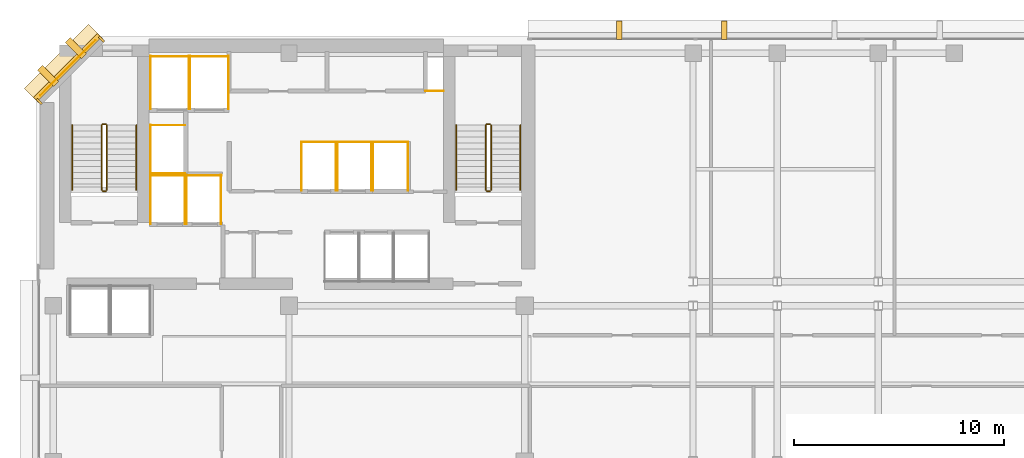
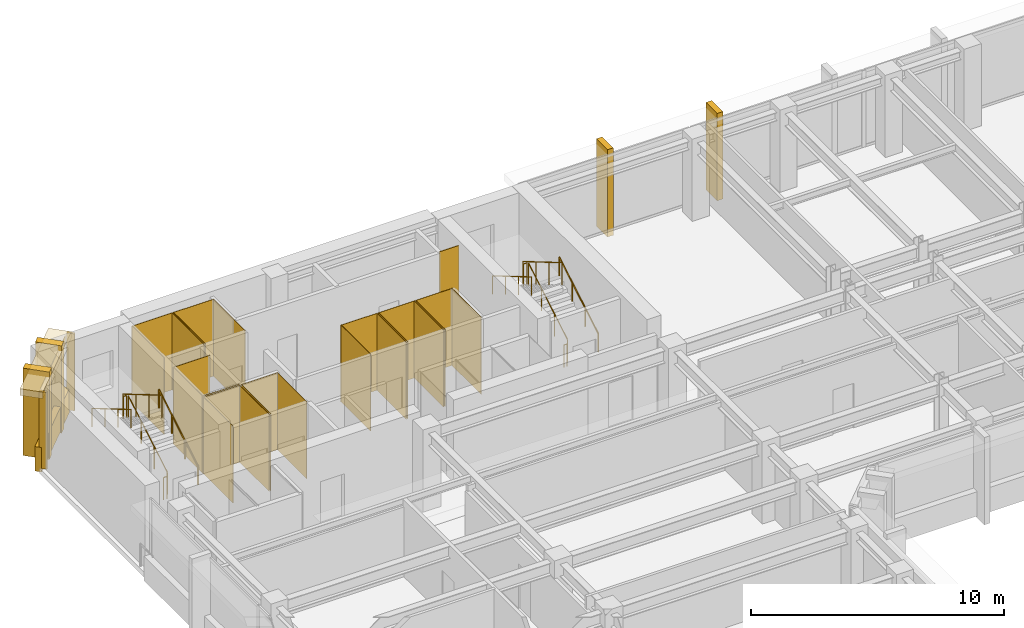
# One storey, part 11 of 12: 34 coverings, 12 railings.
"""IFC4 building model written with IfcOpenShell, lengths in metres."""

from ifc_helpers import new_model, si_unit, direction, frame, origin, origin_2d, place, context, subcontext, project, spatial, polyline, rectangle, circle, outline, extrude, material, layer, layer_set, type_object, element, save


model = new_model("IFC4")

# Units and contexts
model_context = context("Model", 3, precision=1e-05, world=origin(), true_north=direction((0.0, 1.0)))
body_context = subcontext(model_context, "Body", "Model", "MODEL_VIEW")
ifc_project = project(units=[si_unit("LENGTHUNIT", "METRE"), si_unit("AREAUNIT", "SQUARE_METRE"), si_unit("VOLUMEUNIT", "CUBIC_METRE"), si_unit("PLANEANGLEUNIT", "RADIAN"), si_unit("MASSUNIT", "GRAM", prefix="KILO")], contexts=[model_context])

# Site, building, storey
site_placement = place(None, origin())
site = spatial("IfcSite", under=ifc_project, at=site_placement, CompositionType="ELEMENT")
building_placement = place(site_placement, origin())
building = spatial("IfcBuilding", under=site, at=building_placement, Name="Kefirva Bronze Tower", CompositionType="ELEMENT")
storey_placement = place(building_placement, frame((0.0, 0.0, 207.239990234375)))
storey = spatial("IfcBuildingStorey", under=building, at=storey_placement, Name="L50", CompositionType="ELEMENT", Elevation=207.239990234375)

# Coverings
ifc_material_1 = material(Name="Bronze anodised aluminium", Category="aluminium")
ifc_layer_1 = layer(ifc_material_1, 0.02001953125, Name="Bronze anodised aluminium")
ifc_layer_set_1 = layer_set([ifc_layer_1], Name="Bronze anodised aluminium")
covering_type_1 = type_object("IfcCoveringType", Name="Anodised Bronze Spandrel Cladding 20mm", PredefinedType="CLADDING", material=ifc_layer_set_1)
covering_1_placement = place(storey_placement, frame((1.492919921875, 44.507080078125, 3.2900390625), z_axis=(0.0, 0.0, 1.0), x_axis=(-0.707106781187, -0.707106781187, 0.0)))
element("IfcCovering", 1, at=covering_1_placement, inside=storey, type_object=covering_type_1, Name="L50 Bronze Spandrel Cladding 6", PredefinedType="CLADDING", context=body_context, shape_type="SweptSolid", body=[
    extrude(rectangle(XDim=3.719482421875, YDim=0.02001953125, at=origin_2d()), origin(), (0.0, 0.0, 1.0), 0.39990234375),
])
for number, where, z_axis, x_axis, name in (
    (2, (3.08837890625, 45.862060546875, 0.0), (0.0, 0.0, 1.0), (-0.707106781187, -0.707106781187, 0.0), "L50 Facade Joint Closure Panel 6S"),
    (3, (0.137939453125, 42.91162109375, 0.0), (0.0, 0.0, 1.0), (-0.707106781187, -0.707106781187, 0.0), "L50 Facade Joint Closure Panel 6E"),
):
    element("IfcCovering", number, at=place(storey_placement, frame(where, z_axis=z_axis, x_axis=x_axis)), inside=storey, type_object=covering_type_1, Name=name, PredefinedType="CLADDING", context=body_context, shape_type="SweptSolid", body=[
        extrude(rectangle(XDim=0.10009765625, YDim=0.320068359375, at=origin_2d()), origin(), (0.0, 0.0, 1.0), 3.7099609375),
    ])
covering_2_placement = place(storey_placement, frame((1.4716796875, 44.5283203125, -0.16015625), z_axis=(0.0, 0.0, 1.0), x_axis=(-0.707106781187, -0.707106781187, 0.0)))
element("IfcCovering", 4, at=covering_2_placement, inside=storey, type_object=covering_type_1, Name="L50 Streamline Horizontal Spandrel Band 9", PredefinedType="CLADDING", context=body_context, shape_type="SweptSolid", body=[
    extrude(rectangle(XDim=4.28271484375, YDim=0.280029296875, at=origin_2d()), origin(), (0.0, 0.0, 1.0), 1.179931640625),
])
covering_3_placement = place(storey_placement, origin())
element("IfcCovering", 5, at=covering_3_placement, inside=storey, type_object=covering_type_1, Name="L50 Lift FF1 Hoistway Liner N", PredefinedType="CLADDING", context=body_context, shape_type="SweptSolid", body=[
    extrude(outline(polyline([(5.39990234375, 39.389892578125), (7.080078125, 39.389892578125), (7.080078125, 39.409912109375), (5.39990234375, 39.409912109375), (5.39990234375, 39.389892578125)])), origin(), (0.0, 0.0, 1.0), 3.7099609375),
])
covering_4_placement = place(storey_placement, origin())
element("IfcCovering", 6, at=covering_4_placement, inside=storey, type_object=covering_type_1, Name="L50 Lift FF1 Hoistway Liner W", PredefinedType="CLADDING", context=body_context, shape_type="SweptSolid", body=[
    extrude(outline(polyline([(5.409912109375, 37.080078125), (5.429931640625, 37.080078125), (5.429931640625, 39.419921875), (5.409912109375, 39.419921875), (5.409912109375, 37.080078125)])), origin(), (0.0, 0.0, 1.0), 3.7099609375),
])
covering_5_placement = place(storey_placement, origin())
element("IfcCovering", 7, at=covering_5_placement, inside=storey, type_object=covering_type_1, Name="L50 Lift FF1 Hoistway Liner E", PredefinedType="CLADDING", context=body_context, shape_type="SweptSolid", body=[
    extrude(outline(polyline([(7.050048828125, 37.080078125), (7.070068359375, 37.080078125), (7.070068359375, 39.419921875), (7.050048828125, 39.419921875), (7.050048828125, 37.080078125)])), origin(), (0.0, 0.0, 1.0), 3.7099609375),
])
covering_6_placement = place(storey_placement, origin())
element("IfcCovering", 8, at=covering_6_placement, inside=storey, type_object=covering_type_1, Name="L50 Lift FF2 Hoistway Liner N", PredefinedType="CLADDING", context=body_context, shape_type="SweptSolid", body=[
    extrude(outline(polyline([(7.1201171875, 39.389892578125), (8.800048828125, 39.389892578125), (8.800048828125, 39.409912109375), (7.1201171875, 39.409912109375), (7.1201171875, 39.389892578125)])), origin(), (0.0, 0.0, 1.0), 3.7099609375),
])
covering_7_placement = place(storey_placement, origin())
element("IfcCovering", 9, at=covering_7_placement, inside=storey, type_object=covering_type_1, Name="L50 Lift FF2 Hoistway Liner W", PredefinedType="CLADDING", context=body_context, shape_type="SweptSolid", body=[
    extrude(outline(polyline([(7.1298828125, 37.080078125), (7.14990234375, 37.080078125), (7.14990234375, 39.419921875), (7.1298828125, 39.419921875), (7.1298828125, 37.080078125)])), origin(), (0.0, 0.0, 1.0), 3.7099609375),
])
covering_8_placement = place(storey_placement, origin())
element("IfcCovering", 10, at=covering_8_placement, inside=storey, type_object=covering_type_1, Name="L50 Lift FF2 Hoistway Liner E", PredefinedType="CLADDING", context=body_context, shape_type="SweptSolid", body=[
    extrude(outline(polyline([(8.77001953125, 37.080078125), (8.7900390625, 37.080078125), (8.7900390625, 39.419921875), (8.77001953125, 39.419921875), (8.77001953125, 37.080078125)])), origin(), (0.0, 0.0, 1.0), 3.7099609375),
])
covering_9_placement = place(storey_placement, origin())
element("IfcCovering", 11, at=covering_9_placement, inside=storey, type_object=covering_type_1, Name="L50 Lift SV1 Hoistway Liner N", PredefinedType="CLADDING", context=body_context, shape_type="SweptSolid", body=[
    extrude(outline(polyline([(5.39990234375, 45.0400390625), (7.260009765625, 45.0400390625), (7.260009765625, 45.06005859375), (5.39990234375, 45.06005859375), (5.39990234375, 45.0400390625)])), origin(), (0.0, 0.0, 1.0), 3.7099609375),
])
covering_10_placement = place(storey_placement, origin())
element("IfcCovering", 12, at=covering_10_placement, inside=storey, type_object=covering_type_1, Name="L50 Lift SV1 Hoistway Liner W", PredefinedType="CLADDING", context=body_context, shape_type="SweptSolid", body=[
    extrude(outline(polyline([(5.409912109375, 42.530029296875), (5.429931640625, 42.530029296875), (5.429931640625, 45.070068359375), (5.409912109375, 45.070068359375), (5.409912109375, 42.530029296875)])), origin(), (0.0, 0.0, 1.0), 3.7099609375),
])
covering_11_placement = place(storey_placement, origin())
element("IfcCovering", 13, at=covering_11_placement, inside=storey, type_object=covering_type_1, Name="L50 Lift SV1 Hoistway Liner E", PredefinedType="CLADDING", context=body_context, shape_type="SweptSolid", body=[
    extrude(outline(polyline([(7.22998046875, 42.530029296875), (7.25, 42.530029296875), (7.25, 45.070068359375), (7.22998046875, 45.070068359375), (7.22998046875, 42.530029296875)])), origin(), (0.0, 0.0, 1.0), 3.7099609375),
])
covering_12_placement = place(storey_placement, origin())
element("IfcCovering", 14, at=covering_12_placement, inside=storey, type_object=covering_type_1, Name="L50 Lift SV2 Hoistway Liner N", PredefinedType="CLADDING", context=body_context, shape_type="SweptSolid", body=[
    extrude(outline(polyline([(7.280029296875, 45.0400390625), (9.139892578125, 45.0400390625), (9.139892578125, 45.06005859375), (7.280029296875, 45.06005859375), (7.280029296875, 45.0400390625)])), origin(), (0.0, 0.0, 1.0), 3.7099609375),
])
covering_13_placement = place(storey_placement, origin())
element("IfcCovering", 15, at=covering_13_placement, inside=storey, type_object=covering_type_1, Name="L50 Lift SV2 Hoistway Liner W", PredefinedType="CLADDING", context=body_context, shape_type="SweptSolid", body=[
    extrude(outline(polyline([(7.2900390625, 42.530029296875), (7.31005859375, 42.530029296875), (7.31005859375, 45.070068359375), (7.2900390625, 45.070068359375), (7.2900390625, 42.530029296875)])), origin(), (0.0, 0.0, 1.0), 3.7099609375),
])
covering_14_placement = place(storey_placement, origin())
element("IfcCovering", 16, at=covering_14_placement, inside=storey, type_object=covering_type_1, Name="L50 Lift SV2 Hoistway Liner E", PredefinedType="CLADDING", context=body_context, shape_type="SweptSolid", body=[
    extrude(outline(polyline([(9.110107421875, 42.530029296875), (9.1298828125, 42.530029296875), (9.1298828125, 45.070068359375), (9.110107421875, 45.070068359375), (9.110107421875, 42.530029296875)])), origin(), (0.0, 0.0, 1.0), 3.7099609375),
])
covering_15_placement = place(storey_placement, origin())
element("IfcCovering", 17, at=covering_15_placement, inside=storey, type_object=covering_type_1, Name="L50 Lift MP3 Hoistway Liner N", PredefinedType="CLADDING", context=body_context, shape_type="SweptSolid", body=[
    extrude(outline(polyline([(12.580078125, 40.969970703125), (14.25, 40.969970703125), (14.25, 40.989990234375), (12.580078125, 40.989990234375), (12.580078125, 40.969970703125)])), origin(), (0.0, 0.0, 1.0), 3.7099609375),
])
covering_16_placement = place(storey_placement, origin())
element("IfcCovering", 18, at=covering_16_placement, inside=storey, type_object=covering_type_1, Name="L50 Lift MP3 Hoistway Liner W", PredefinedType="CLADDING", context=body_context, shape_type="SweptSolid", body=[
    extrude(outline(polyline([(12.590087890625, 38.659912109375), (12.610107421875, 38.659912109375), (12.610107421875, 41.0), (12.590087890625, 41.0), (12.590087890625, 38.659912109375)])), origin(), (0.0, 0.0, 1.0), 3.7099609375),
])
covering_17_placement = place(storey_placement, origin())
element("IfcCovering", 19, at=covering_17_placement, inside=storey, type_object=covering_type_1, Name="L50 Lift MP3 Hoistway Liner E", PredefinedType="CLADDING", context=body_context, shape_type="SweptSolid", body=[
    extrude(outline(polyline([(14.219970703125, 38.659912109375), (14.239990234375, 38.659912109375), (14.239990234375, 41.0), (14.219970703125, 41.0), (14.219970703125, 38.659912109375)])), origin(), (0.0, 0.0, 1.0), 3.7099609375),
])
covering_18_placement = place(storey_placement, origin())
element("IfcCovering", 20, at=covering_18_placement, inside=storey, type_object=covering_type_1, Name="L50 Lift MP4 Hoistway Liner N", PredefinedType="CLADDING", context=body_context, shape_type="SweptSolid", body=[
    extrude(outline(polyline([(14.280029296875, 40.969970703125), (15.949951171875, 40.969970703125), (15.949951171875, 40.989990234375), (14.280029296875, 40.989990234375), (14.280029296875, 40.969970703125)])), origin(), (0.0, 0.0, 1.0), 3.7099609375),
])
covering_19_placement = place(storey_placement, origin())
element("IfcCovering", 21, at=covering_19_placement, inside=storey, type_object=covering_type_1, Name="L50 Lift MP4 Hoistway Liner W", PredefinedType="CLADDING", context=body_context, shape_type="SweptSolid", body=[
    extrude(outline(polyline([(14.2900390625, 38.659912109375), (14.31005859375, 38.659912109375), (14.31005859375, 41.0), (14.2900390625, 41.0), (14.2900390625, 38.659912109375)])), origin(), (0.0, 0.0, 1.0), 3.7099609375),
])
covering_20_placement = place(storey_placement, origin())
element("IfcCovering", 22, at=covering_20_placement, inside=storey, type_object=covering_type_1, Name="L50 Lift MP4 Hoistway Liner E", PredefinedType="CLADDING", context=body_context, shape_type="SweptSolid", body=[
    extrude(outline(polyline([(15.919921875, 38.659912109375), (15.93994140625, 38.659912109375), (15.93994140625, 41.0), (15.919921875, 41.0), (15.919921875, 38.659912109375)])), origin(), (0.0, 0.0, 1.0), 3.7099609375),
])
covering_21_placement = place(storey_placement, origin())
element("IfcCovering", 23, at=covering_21_placement, inside=storey, type_object=covering_type_1, Name="L50 Lift HP2 Hoistway Liner N", PredefinedType="CLADDING", context=body_context, shape_type="SweptSolid", body=[
    extrude(outline(polyline([(15.97998046875, 40.969970703125), (17.669921875, 40.969970703125), (17.669921875, 40.989990234375), (15.97998046875, 40.989990234375), (15.97998046875, 40.969970703125)])), origin(), (0.0, 0.0, 1.0), 3.7099609375),
])
covering_22_placement = place(storey_placement, origin())
element("IfcCovering", 24, at=covering_22_placement, inside=storey, type_object=covering_type_1, Name="L50 Lift HP2 Hoistway Liner W", PredefinedType="CLADDING", context=body_context, shape_type="SweptSolid", body=[
    extrude(outline(polyline([(15.989990234375, 38.659912109375), (16.010009765625, 38.659912109375), (16.010009765625, 41.0), (15.989990234375, 41.0), (15.989990234375, 38.659912109375)])), origin(), (0.0, 0.0, 1.0), 3.7099609375),
])
covering_23_placement = place(storey_placement, origin())
element("IfcCovering", 25, at=covering_23_placement, inside=storey, type_object=covering_type_1, Name="L50 Lift HP2 Hoistway Liner E", PredefinedType="CLADDING", context=body_context, shape_type="SweptSolid", body=[
    extrude(outline(polyline([(17.639892578125, 38.659912109375), (17.659912109375, 38.659912109375), (17.659912109375, 41.0), (17.639892578125, 41.0), (17.639892578125, 38.659912109375)])), origin(), (0.0, 0.0, 1.0), 3.7099609375),
])
covering_24_placement = place(storey_placement, origin())
element("IfcCovering", 26, at=covering_24_placement, inside=storey, type_object=covering_type_1, Name="L50 Lift HP3 Hoistway Liner N", PredefinedType="CLADDING", context=body_context, shape_type="SweptSolid", body=[
    extrude(outline(polyline([(5.39990234375, 41.77001953125), (7.080078125, 41.77001953125), (7.080078125, 41.7900390625), (5.39990234375, 41.7900390625), (5.39990234375, 41.77001953125)])), origin(), (0.0, 0.0, 1.0), 3.7099609375),
])
covering_25_placement = place(storey_placement, origin())
element("IfcCovering", 27, at=covering_25_placement, inside=storey, type_object=covering_type_1, Name="L50 Lift HP3 Hoistway Liner S", PredefinedType="CLADDING", context=body_context, shape_type="SweptSolid", body=[
    extrude(outline(polyline([(5.39990234375, 39.469970703125), (7.080078125, 39.469970703125), (7.080078125, 39.489990234375), (5.39990234375, 39.489990234375), (5.39990234375, 39.469970703125)])), origin(), (0.0, 0.0, 1.0), 3.7099609375),
])
covering_26_placement = place(storey_placement, origin())
element("IfcCovering", 28, at=covering_26_placement, inside=storey, type_object=covering_type_1, Name="L50 Lift HP3 Hoistway Liner W", PredefinedType="CLADDING", context=body_context, shape_type="SweptSolid", body=[
    extrude(outline(polyline([(5.409912109375, 39.4599609375), (5.429931640625, 39.4599609375), (5.429931640625, 41.800048828125), (5.409912109375, 41.800048828125), (5.409912109375, 39.4599609375)])), origin(), (0.0, 0.0, 1.0), 3.7099609375),
])
covering_27_placement = place(storey_placement, origin())
element("IfcCovering", 29, at=covering_27_placement, inside=storey, type_object=covering_type_1, Name="L50 Core MEP Riser Shaft Liner South", PredefinedType="CLADDING", context=body_context, shape_type="SweptSolid", body=[
    extrude(outline(polyline([(18.47998046875, 43.39990234375), (19.360107421875, 43.39990234375), (19.360107421875, 43.429931640625), (18.47998046875, 43.429931640625), (18.47998046875, 43.39990234375)])), origin(), (0.0, 0.0, 1.0), 3.7099609375),
])

# Railings
ifc_material_2 = material(Name="Stainless steel 316", Category="steel")
railing_type_1 = type_object("IfcRailingType", Name="Interior Stair Guardrail 1100mm", PredefinedType="GUARDRAIL", material=ifc_material_2)
railing_1_placement = place(storey_placement, frame((3.35009765625, 38.699951171875, 0.1650390625)))
element("IfcRailing", 30, at=railing_1_placement, inside=storey, type_object=railing_type_1, Name="L50 ST-1 stair guard 1", PredefinedType="GUARDRAIL", context=body_context, shape_type="SweptSolid", body=[
    extrude(circle(Radius=0.02392578125, at=origin_2d()), frame((0.0, 0.0, 1.076171875), z_axis=(0.0, 0.861551262678, 0.507670583921), x_axis=(-1.0, 0.0, 0.0)), (0.0, 0.0, 1.0), 3.574951171875),
    extrude(circle(Radius=0.02099609375, at=origin_2d()), origin(), (0.0, 0.0, 1.0), 1.052001953125),
    extrude(circle(Radius=0.02099609375, at=origin_2d()), frame((0.0, 1.026611328125, 0.60498046875)), (0.0, 0.0, 1.0), 1.052001953125),
    extrude(circle(Radius=0.02099609375, at=origin_2d()), frame((0.0, 2.053466796875, 1.2099609375)), (0.0, 0.0, 1.0), 1.052001953125),
    extrude(circle(Radius=0.02099609375, at=origin_2d()), frame((0.0, 3.080078125, 1.81494140625)), (0.0, 0.0, 1.0), 1.052001953125),
])
railing_2_placement = place(storey_placement, frame((3.300048828125, 41.830078125, 1.97998046875)))
element("IfcRailing", 31, at=railing_2_placement, inside=storey, type_object=railing_type_1, Name="L50 ST-1 stair guard 2", PredefinedType="GUARDRAIL", context=body_context, shape_type="SweptSolid", body=[
    extrude(circle(Radius=0.02392578125, at=origin_2d()), frame((0.0, 0.0, 1.076171875), z_axis=(-1.0, 0.0, 0.0), x_axis=(0.0, -1.0, 0.0)), (0.0, 0.0, 1.0), 0.150146484375),
    extrude(circle(Radius=0.02099609375, at=origin_2d()), origin(), (0.0, 0.0, 1.0), 1.052001953125),
    extrude(circle(Radius=0.02099609375, at=origin_2d()), frame((-0.150146484375, 0.0, 0.0)), (0.0, 0.0, 1.0), 1.052001953125),
])
railing_3_placement = place(storey_placement, frame((3.10009765625, 41.780029296875, 2.14501953125)))
element("IfcRailing", 32, at=railing_3_placement, inside=storey, type_object=railing_type_1, Name="L50 ST-1 stair guard 3", PredefinedType="GUARDRAIL", context=body_context, shape_type="SweptSolid", body=[
    extrude(circle(Radius=0.02392578125, at=origin_2d()), frame((0.0, 0.0, 1.076171875), z_axis=(0.0, -0.861551262678, 0.507670583921), x_axis=(1.0, 0.0, 0.0)), (0.0, 0.0, 1.0), 3.574951171875),
    extrude(circle(Radius=0.02099609375, at=origin_2d()), origin(), (0.0, 0.0, 1.0), 1.052001953125),
    extrude(circle(Radius=0.02099609375, at=origin_2d()), frame((0.0, -1.026611328125, 0.60498046875)), (0.0, 0.0, 1.0), 1.052001953125),
    extrude(circle(Radius=0.02099609375, at=origin_2d()), frame((0.0, -2.053466796875, 1.2099609375)), (0.0, 0.0, 1.0), 1.052001953125),
    extrude(circle(Radius=0.02099609375, at=origin_2d()), frame((0.0, -3.080078125, 1.81494140625)), (0.0, 0.0, 1.0), 1.052001953125),
])
railing_4_placement = place(storey_placement, frame((3.300048828125, 38.64990234375, 0.0)))
element("IfcRailing", 33, at=railing_4_placement, inside=storey, type_object=railing_type_1, Name="L50 ST-1 stair guard 4", PredefinedType="GUARDRAIL", context=body_context, shape_type="SweptSolid", body=[
    extrude(circle(Radius=0.02392578125, at=origin_2d()), frame((0.0, 0.0, 1.076171875), z_axis=(-1.0, 0.0, 0.0), x_axis=(0.0, -1.0, 0.0)), (0.0, 0.0, 1.0), 0.150146484375),
    extrude(circle(Radius=0.02099609375, at=origin_2d()), origin(), (0.0, 0.0, 1.0), 1.052001953125),
    extrude(circle(Radius=0.02099609375, at=origin_2d()), frame((-0.150146484375, 0.0, 0.0)), (0.0, 0.0, 1.0), 1.052001953125),
])
railing_5_placement = place(storey_placement, frame((21.60009765625, 38.699951171875, 0.1650390625)))
element("IfcRailing", 34, at=railing_5_placement, inside=storey, type_object=railing_type_1, Name="L50 ST-2 stair guard 1", PredefinedType="GUARDRAIL", context=body_context, shape_type="SweptSolid", body=[
    extrude(circle(Radius=0.02392578125, at=origin_2d()), frame((0.0, 0.0, 1.076171875), z_axis=(0.0, 0.861551262678, 0.507670583921), x_axis=(-1.0, 0.0, 0.0)), (0.0, 0.0, 1.0), 3.574951171875),
    extrude(circle(Radius=0.02099609375, at=origin_2d()), origin(), (0.0, 0.0, 1.0), 1.052001953125),
    extrude(circle(Radius=0.02099609375, at=origin_2d()), frame((0.0, 1.026611328125, 0.60498046875)), (0.0, 0.0, 1.0), 1.052001953125),
    extrude(circle(Radius=0.02099609375, at=origin_2d()), frame((0.0, 2.053466796875, 1.2099609375)), (0.0, 0.0, 1.0), 1.052001953125),
    extrude(circle(Radius=0.02099609375, at=origin_2d()), frame((0.0, 3.080078125, 1.81494140625)), (0.0, 0.0, 1.0), 1.052001953125),
])
railing_6_placement = place(storey_placement, frame((21.550048828125, 41.830078125, 1.97998046875)))
element("IfcRailing", 35, at=railing_6_placement, inside=storey, type_object=railing_type_1, Name="L50 ST-2 stair guard 2", PredefinedType="GUARDRAIL", context=body_context, shape_type="SweptSolid", body=[
    extrude(circle(Radius=0.02392578125, at=origin_2d()), frame((0.0, 0.0, 1.076171875), z_axis=(-1.0, 0.0, 0.0), x_axis=(0.0, -1.0, 0.0)), (0.0, 0.0, 1.0), 0.150146484375),
    extrude(circle(Radius=0.02099609375, at=origin_2d()), origin(), (0.0, 0.0, 1.0), 1.052001953125),
    extrude(circle(Radius=0.02099609375, at=origin_2d()), frame((-0.150146484375, 0.0, 0.0)), (0.0, 0.0, 1.0), 1.052001953125),
])
railing_7_placement = place(storey_placement, frame((21.35009765625, 41.780029296875, 2.14501953125)))
element("IfcRailing", 36, at=railing_7_placement, inside=storey, type_object=railing_type_1, Name="L50 ST-2 stair guard 3", PredefinedType="GUARDRAIL", context=body_context, shape_type="SweptSolid", body=[
    extrude(circle(Radius=0.02392578125, at=origin_2d()), frame((0.0, 0.0, 1.076171875), z_axis=(0.0, -0.861551262678, 0.507670583921), x_axis=(1.0, 0.0, 0.0)), (0.0, 0.0, 1.0), 3.574951171875),
    extrude(circle(Radius=0.02099609375, at=origin_2d()), origin(), (0.0, 0.0, 1.0), 1.052001953125),
    extrude(circle(Radius=0.02099609375, at=origin_2d()), frame((0.0, -1.026611328125, 0.60498046875)), (0.0, 0.0, 1.0), 1.052001953125),
    extrude(circle(Radius=0.02099609375, at=origin_2d()), frame((0.0, -2.053466796875, 1.2099609375)), (0.0, 0.0, 1.0), 1.052001953125),
    extrude(circle(Radius=0.02099609375, at=origin_2d()), frame((0.0, -3.080078125, 1.81494140625)), (0.0, 0.0, 1.0), 1.052001953125),
])
railing_8_placement = place(storey_placement, frame((21.550048828125, 38.64990234375, 0.0)))
element("IfcRailing", 37, at=railing_8_placement, inside=storey, type_object=railing_type_1, Name="L50 ST-2 stair guard 4", PredefinedType="GUARDRAIL", context=body_context, shape_type="SweptSolid", body=[
    extrude(circle(Radius=0.02392578125, at=origin_2d()), frame((0.0, 0.0, 1.076171875), z_axis=(-1.0, 0.0, 0.0), x_axis=(0.0, -1.0, 0.0)), (0.0, 0.0, 1.0), 0.150146484375),
    extrude(circle(Radius=0.02099609375, at=origin_2d()), origin(), (0.0, 0.0, 1.0), 1.052001953125),
    extrude(circle(Radius=0.02099609375, at=origin_2d()), frame((-0.150146484375, 0.0, 0.0)), (0.0, 0.0, 1.0), 1.052001953125),
])
railing_type_2 = type_object("IfcRailingType", Name="Stair Pitch Handrail 900mm", PredefinedType="HANDRAIL", material=ifc_material_2)
railing_9_placement = place(storey_placement, frame((4.75, 38.699951171875, 0.1650390625)))
element("IfcRailing", 38, at=railing_9_placement, inside=storey, type_object=railing_type_2, Name="L50 ST-1 stair handrail 1", PredefinedType="HANDRAIL", context=body_context, shape_type="SweptSolid", body=[
    extrude(circle(Radius=0.02392578125, at=origin_2d()), frame((0.0, 0.0, 0.8759765625), z_axis=(0.0, 0.861551262678, 0.507670583921), x_axis=(-1.0, 0.0, 0.0)), (0.0, 0.0, 1.0), 3.574951171875),
    extrude(circle(Radius=0.02099609375, at=origin_2d()), origin(), (0.0, 0.0, 1.0), 0.851806640625),
    extrude(circle(Radius=0.02099609375, at=origin_2d()), frame((0.0, 1.026611328125, 0.60498046875)), (0.0, 0.0, 1.0), 0.851806640625),
    extrude(circle(Radius=0.02099609375, at=origin_2d()), frame((0.0, 2.053466796875, 1.2099609375)), (0.0, 0.0, 1.0), 0.851806640625),
    extrude(circle(Radius=0.02099609375, at=origin_2d()), frame((0.0, 3.080078125, 1.81494140625)), (0.0, 0.0, 1.0), 0.851806640625),
])
railing_10_placement = place(storey_placement, frame((1.699951171875, 41.780029296875, 2.14501953125)))
element("IfcRailing", 39, at=railing_10_placement, inside=storey, type_object=railing_type_2, Name="L50 ST-1 stair handrail 2", PredefinedType="HANDRAIL", context=body_context, shape_type="SweptSolid", body=[
    extrude(circle(Radius=0.02392578125, at=origin_2d()), frame((0.0, 0.0, 0.8759765625), z_axis=(0.0, -0.861551262678, 0.507670583921), x_axis=(1.0, 0.0, 0.0)), (0.0, 0.0, 1.0), 3.574951171875),
    extrude(circle(Radius=0.02099609375, at=origin_2d()), origin(), (0.0, 0.0, 1.0), 0.851806640625),
    extrude(circle(Radius=0.02099609375, at=origin_2d()), frame((0.0, -1.026611328125, 0.60498046875)), (0.0, 0.0, 1.0), 0.851806640625),
    extrude(circle(Radius=0.02099609375, at=origin_2d()), frame((0.0, -2.053466796875, 1.2099609375)), (0.0, 0.0, 1.0), 0.851806640625),
    extrude(circle(Radius=0.02099609375, at=origin_2d()), frame((0.0, -3.080078125, 1.81494140625)), (0.0, 0.0, 1.0), 0.851806640625),
])
railing_11_placement = place(storey_placement, frame((23.0, 38.699951171875, 0.1650390625)))
element("IfcRailing", 40, at=railing_11_placement, inside=storey, type_object=railing_type_2, Name="L50 ST-2 stair handrail 1", PredefinedType="HANDRAIL", context=body_context, shape_type="SweptSolid", body=[
    extrude(circle(Radius=0.02392578125, at=origin_2d()), frame((0.0, 0.0, 0.8759765625), z_axis=(0.0, 0.861551262678, 0.507670583921), x_axis=(-1.0, 0.0, 0.0)), (0.0, 0.0, 1.0), 3.574951171875),
    extrude(circle(Radius=0.02099609375, at=origin_2d()), origin(), (0.0, 0.0, 1.0), 0.851806640625),
    extrude(circle(Radius=0.02099609375, at=origin_2d()), frame((0.0, 1.026611328125, 0.60498046875)), (0.0, 0.0, 1.0), 0.851806640625),
    extrude(circle(Radius=0.02099609375, at=origin_2d()), frame((0.0, 2.053466796875, 1.2099609375)), (0.0, 0.0, 1.0), 0.851806640625),
    extrude(circle(Radius=0.02099609375, at=origin_2d()), frame((0.0, 3.080078125, 1.81494140625)), (0.0, 0.0, 1.0), 0.851806640625),
])
railing_12_placement = place(storey_placement, frame((19.949951171875, 41.780029296875, 2.14501953125)))
element("IfcRailing", 41, at=railing_12_placement, inside=storey, type_object=railing_type_2, Name="L50 ST-2 stair handrail 2", PredefinedType="HANDRAIL", context=body_context, shape_type="SweptSolid", body=[
    extrude(circle(Radius=0.02392578125, at=origin_2d()), frame((0.0, 0.0, 0.8759765625), z_axis=(0.0, -0.861551262678, 0.507670583921), x_axis=(1.0, 0.0, 0.0)), (0.0, 0.0, 1.0), 3.574951171875),
    extrude(circle(Radius=0.02099609375, at=origin_2d()), origin(), (0.0, 0.0, 1.0), 0.851806640625),
    extrude(circle(Radius=0.02099609375, at=origin_2d()), frame((0.0, -1.026611328125, 0.60498046875)), (0.0, 0.0, 1.0), 0.851806640625),
    extrude(circle(Radius=0.02099609375, at=origin_2d()), frame((0.0, -2.053466796875, 1.2099609375)), (0.0, 0.0, 1.0), 0.851806640625),
    extrude(circle(Radius=0.02099609375, at=origin_2d()), frame((0.0, -3.080078125, 1.81494140625)), (0.0, 0.0, 1.0), 0.851806640625),
])

# Coverings
ifc_layer_2 = layer(ifc_material_1, 0.179931640625, Name="Bronze anodised aluminium")
ifc_layer_set_2 = layer_set([ifc_layer_2], Name="Bronze anodised aluminium")
covering_type_2 = type_object("IfcCoveringType", Name="Streamline Bronze Sunshade Eyebrow Cladding 180mm", PredefinedType="CLADDING", material=ifc_layer_set_2)
covering_28_placement = place(storey_placement, frame((1.28076171875, 44.71923828125, 3.39013671875), z_axis=(0.0, 0.0, 1.0), x_axis=(-0.707106781187, -0.707106781187, 0.0)))
element("IfcCovering", 42, at=covering_28_placement, inside=storey, type_object=covering_type_2, Name="L50 Streamline Bronze Sunshade Eyebrow 9", PredefinedType="CLADDING", context=body_context, shape_type="SweptSolid", body=[
    extrude(rectangle(XDim=4.322509765625, YDim=0.93994140625, at=origin_2d()), origin(), (0.0, 0.0, 1.0), 0.320068359375),
])
ifc_layer_3 = layer(ifc_material_1, 0.260009765625, Name="Bronze anodised aluminium")
ifc_layer_set_3 = layer_set([ifc_layer_3], Name="Bronze anodised aluminium")
covering_type_3 = type_object("IfcCoveringType", Name="Unbroken Bronze Buttress Fin Cladding 260mm", PredefinedType="CLADDING", material=ifc_layer_set_3)
for number, where, z_axis, x_axis, name in (
    (43, (32.68505859375, 46.300048828125, -0.25), (0.0, 0.0, 1.0), (-1.0, 0.0, 0.0), "L50 Unbroken Vertical Bronze Rib Fin 19"),
    (44, (27.68798828125, 46.300048828125, -0.25), (0.0, 0.0, 1.0), (-1.0, 0.0, 0.0), "L50 Unbroken Vertical Bronze Rib Fin 20"),
):
    element("IfcCovering", number, at=place(storey_placement, frame(where, z_axis=z_axis, x_axis=x_axis)), inside=storey, type_object=covering_type_3, Name=name, PredefinedType="CLADDING", context=body_context, shape_type="SweptSolid", body=[
        extrude(rectangle(XDim=0.260009765625, YDim=0.8798828125, at=origin_2d()), origin(), (0.0, 0.0, 1.0), 4.2099609375),
    ])
for number, where, z_axis, x_axis, name in (
    (45, (1.877197265625, 45.44287109375, -0.25), (0.0, 0.0, 1.0), (-0.707106781187, -0.707106781187, 0.0), "L50 Chamfered Corner Buttress Fin Cladding 21"),
    (46, (0.55712890625, 44.122802734375, -0.25), (0.0, 0.0, 1.0), (-0.707106781187, -0.707106781187, 0.0), "L50 Chamfered Corner Buttress Fin Cladding 22"),
):
    element("IfcCovering", number, at=place(storey_placement, frame(where, z_axis=z_axis, x_axis=x_axis)), inside=storey, type_object=covering_type_3, Name=name, PredefinedType="CLADDING", context=body_context, shape_type="SweptSolid", body=[
        extrude(rectangle(XDim=0.340087890625, YDim=1.080078125, at=origin_2d()), origin(), (0.0, 0.0, 1.0), 4.2099609375),
    ])

save(model, "model.ifc")
